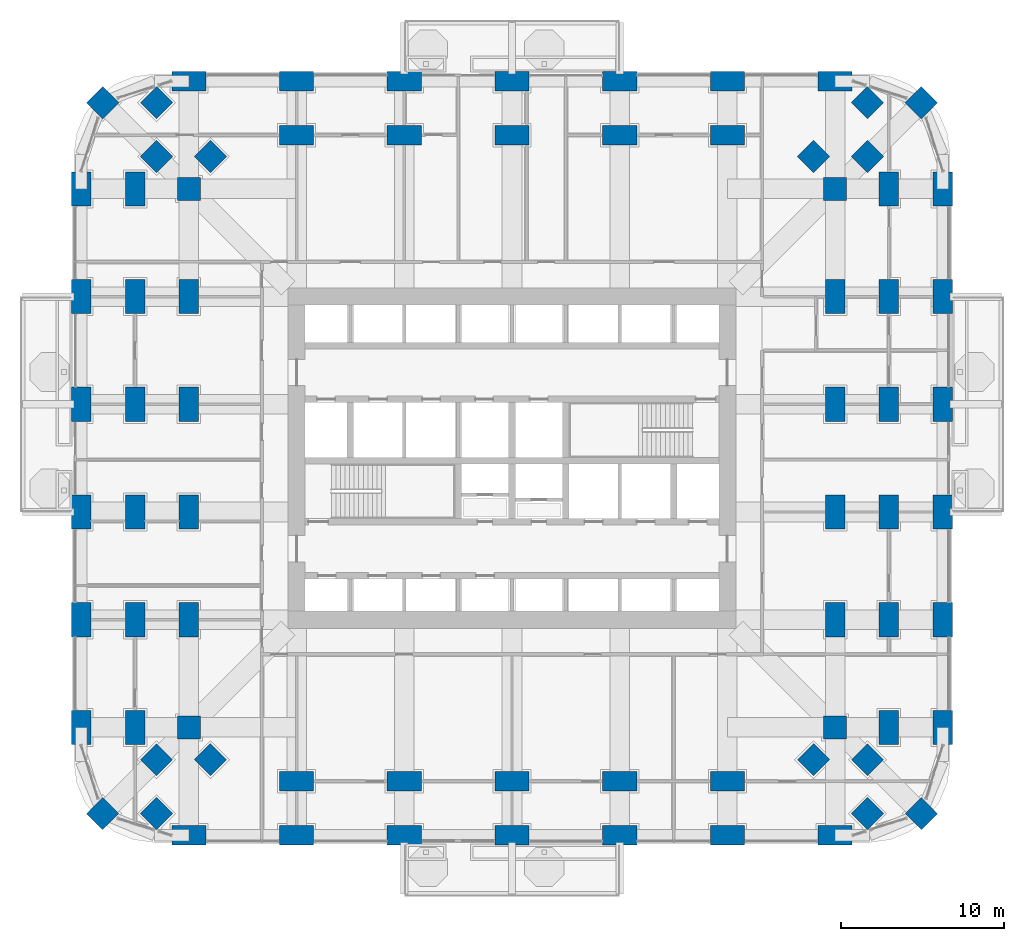
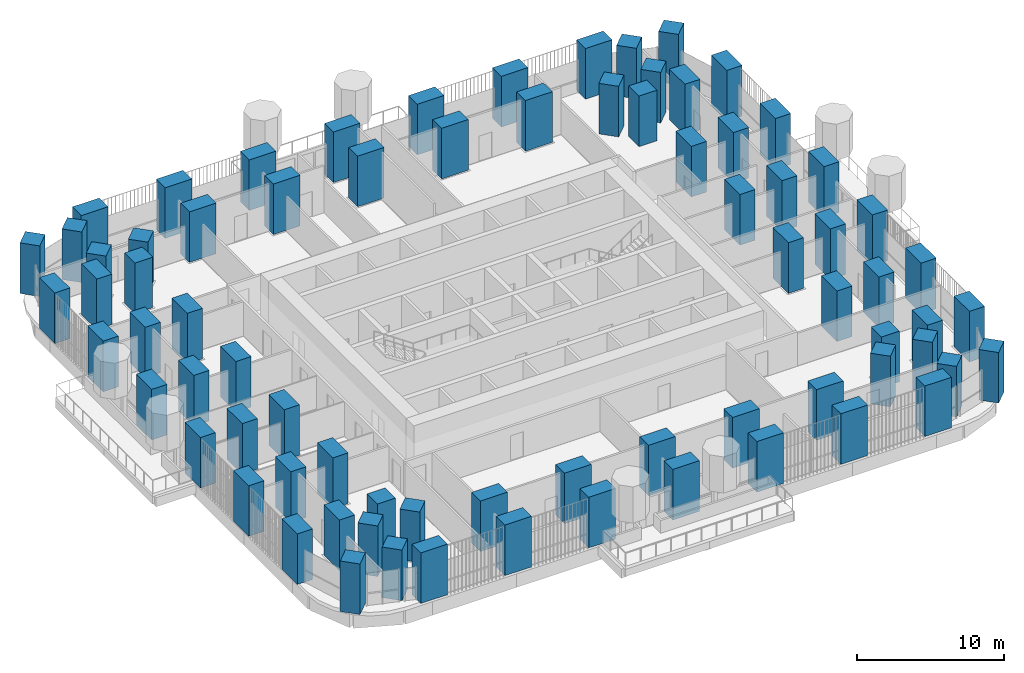
# One storey, part 1 of 26: 76 columns.
"""IFC4 building model written with IfcOpenShell, lengths in metres."""

from ifc_helpers import new_model, si_unit, direction, frame, origin, origin_2d, place, context, subcontext, project, spatial, rectangle, extrude, material, material_profile, profile_set, type_object, element, save


model = new_model("IFC4")

# Units and contexts
model_context = context("Model", 3, precision=1e-05, world=origin(), true_north=direction((0.0, 1.0)))
body_context = subcontext(model_context, "Body", "Model", "MODEL_VIEW")
ifc_project = project(units=[si_unit("LENGTHUNIT", "METRE"), si_unit("AREAUNIT", "SQUARE_METRE"), si_unit("VOLUMEUNIT", "CUBIC_METRE"), si_unit("PLANEANGLEUNIT", "RADIAN"), si_unit("MASSUNIT", "GRAM", prefix="KILO")], contexts=[model_context])

# Site, building, storey
site_placement = place(None, origin())
site = spatial("IfcSite", under=ifc_project, at=site_placement, CompositionType="ELEMENT")
building_placement = place(site_placement, origin())
building = spatial("IfcBuilding", under=site, at=building_placement, Name="Cobogo Forest Laboratory Tower", CompositionType="ELEMENT")
storey_placement = place(building_placement, frame((0.0, 0.0, 25.5)))
storey = spatial("IfcBuildingStorey", under=building, at=storey_placement, Name="L05", CompositionType="ELEMENT", Elevation=25.5)

# Columns
ifc_material = material(Name="Concrete HA-50 (C50/60)", Category="concrete")
ifc_material_profile_1 = material_profile(ifc_material, rectangle(XDim=2.10009765625, YDim=1.199951171875, at=origin_2d()), Name="RC 1200x2100")
ifc_profile_set_1 = profile_set([ifc_material_profile_1], Name="Concrete HA-50 (C50/60)")
column_type_1 = type_object("IfcColumnType", Name="Blade column 1200x2100", PredefinedType="COLUMN", material=ifc_profile_set_1)
for number, where, z_axis, x_axis, name in (
    (1, (6.60009765625, 0.0, 0.0), (0.0, 0.0, 1.0), (1.0, 0.0, 0.0), "Column 2-A L05"),
    (2, (13.199951171875, 0.0, 0.0), (0.0, 0.0, 1.0), (1.0, 0.0, 0.0), "Column 3-A L05"),
    (3, (19.800048828125, 0.0, 0.0), (0.0, 0.0, 1.0), (1.0, 0.0, 0.0), "Column 4-A L05"),
    (4, (26.39990234375, 0.0, 0.0), (0.0, 0.0, 1.0), (1.0, 0.0, 0.0), "Column 5-A L05"),
    (5, (33.0, 0.0, 0.0), (0.0, 0.0, 1.0), (1.0, 0.0, 0.0), "Column 6-A L05"),
    (6, (39.60009765625, 0.0, 0.0), (0.0, 0.0, 1.0), (1.0, 0.0, 0.0), "Column 7-A L05"),
    (7, (46.199951171875, 0.0, 0.0), (0.0, 0.0, 1.0), (1.0, 0.0, 0.0), "Column 8-A L05"),
    (8, (0.0, 6.60009765625, 0.0), (0.0, 0.0, 1.0), (0.0, 1.0, 0.0), "Column 1-B L05"),
    (9, (52.800048828125, 6.60009765625, 0.0), (0.0, 0.0, 1.0), (0.0, 1.0, 0.0), "Column 9-B L05"),
    (10, (0.0, 13.199951171875, 0.0), (0.0, 0.0, 1.0), (0.0, 1.0, 0.0), "Column 1-C L05"),
    (11, (52.800048828125, 13.199951171875, 0.0), (0.0, 0.0, 1.0), (0.0, 1.0, 0.0), "Column 9-C L05"),
    (12, (0.0, 19.800048828125, 0.0), (0.0, 0.0, 1.0), (0.0, 1.0, 0.0), "Column 1-D L05"),
    (13, (52.800048828125, 19.800048828125, 0.0), (0.0, 0.0, 1.0), (0.0, 1.0, 0.0), "Column 9-D L05"),
    (14, (0.0, 26.39990234375, 0.0), (0.0, 0.0, 1.0), (0.0, 1.0, 0.0), "Column 1-E L05"),
    (15, (52.800048828125, 26.39990234375, 0.0), (0.0, 0.0, 1.0), (0.0, 1.0, 0.0), "Column 9-E L05"),
    (16, (0.0, 33.0, 0.0), (0.0, 0.0, 1.0), (0.0, 1.0, 0.0), "Column 1-F L05"),
    (17, (52.800048828125, 33.0, 0.0), (0.0, 0.0, 1.0), (0.0, 1.0, 0.0), "Column 9-F L05"),
    (18, (0.0, 39.60009765625, 0.0), (0.0, 0.0, 1.0), (0.0, 1.0, 0.0), "Column 1-G L05"),
    (19, (52.800048828125, 39.60009765625, 0.0), (0.0, 0.0, 1.0), (0.0, 1.0, 0.0), "Column 9-G L05"),
    (20, (6.60009765625, 46.199951171875, 0.0), (0.0, 0.0, 1.0), (1.0, 0.0, 0.0), "Column 2-H L05"),
    (21, (13.199951171875, 46.199951171875, 0.0), (0.0, 0.0, 1.0), (1.0, 0.0, 0.0), "Column 3-H L05"),
    (22, (19.800048828125, 46.199951171875, 0.0), (0.0, 0.0, 1.0), (1.0, 0.0, 0.0), "Column 4-H L05"),
    (23, (26.39990234375, 46.199951171875, 0.0), (0.0, 0.0, 1.0), (1.0, 0.0, 0.0), "Column 5-H L05"),
    (24, (33.0, 46.199951171875, 0.0), (0.0, 0.0, 1.0), (1.0, 0.0, 0.0), "Column 6-H L05"),
    (25, (39.60009765625, 46.199951171875, 0.0), (0.0, 0.0, 1.0), (1.0, 0.0, 0.0), "Column 7-H L05"),
    (26, (46.199951171875, 46.199951171875, 0.0), (0.0, 0.0, 1.0), (1.0, 0.0, 0.0), "Column 8-H L05"),
    (27, (3.300048828125, 6.60009765625, 0.0), (0.0, 0.0, 1.0), (0.0, 1.0, 0.0), "Column 1.1-B-B L05"),
    (28, (49.5, 6.60009765625, 0.0), (0.0, 0.0, 1.0), (0.0, 1.0, 0.0), "Column 8.1-B-B L05"),
    (29, (3.300048828125, 13.199951171875, 0.0), (0.0, 0.0, 1.0), (0.0, 1.0, 0.0), "Column 1.1-C-B L05"),
    (30, (49.5, 13.199951171875, 0.0), (0.0, 0.0, 1.0), (0.0, 1.0, 0.0), "Column 8.1-C-B L05"),
    (31, (3.300048828125, 19.800048828125, 0.0), (0.0, 0.0, 1.0), (0.0, 1.0, 0.0), "Column 1.1-D-B L05"),
    (32, (49.5, 19.800048828125, 0.0), (0.0, 0.0, 1.0), (0.0, 1.0, 0.0), "Column 8.1-D-B L05"),
    (33, (3.300048828125, 26.39990234375, 0.0), (0.0, 0.0, 1.0), (0.0, 1.0, 0.0), "Column 1.1-E-B L05"),
    (34, (49.5, 26.39990234375, 0.0), (0.0, 0.0, 1.0), (0.0, 1.0, 0.0), "Column 8.1-E-B L05"),
    (35, (3.300048828125, 33.0, 0.0), (0.0, 0.0, 1.0), (0.0, 1.0, 0.0), "Column 1.1-F-B L05"),
    (36, (49.5, 33.0, 0.0), (0.0, 0.0, 1.0), (0.0, 1.0, 0.0), "Column 8.1-F-B L05"),
    (37, (3.300048828125, 39.60009765625, 0.0), (0.0, 0.0, 1.0), (0.0, 1.0, 0.0), "Column 1.1-G-B L05"),
    (38, (49.5, 39.60009765625, 0.0), (0.0, 0.0, 1.0), (0.0, 1.0, 0.0), "Column 8.1-G-B L05"),
    (39, (13.199951171875, 3.300048828125, 0.0), (0.0, 0.0, 1.0), (1.0, 0.0, 0.0), "Column 3-A.1-C L05"),
    (40, (19.800048828125, 3.300048828125, 0.0), (0.0, 0.0, 1.0), (1.0, 0.0, 0.0), "Column 4-A.1-C L05"),
    (41, (26.39990234375, 3.300048828125, 0.0), (0.0, 0.0, 1.0), (1.0, 0.0, 0.0), "Column 5-A.1-C L05"),
    (42, (33.0, 3.300048828125, 0.0), (0.0, 0.0, 1.0), (1.0, 0.0, 0.0), "Column 6-A.1-C L05"),
    (43, (39.60009765625, 3.300048828125, 0.0), (0.0, 0.0, 1.0), (1.0, 0.0, 0.0), "Column 7-A.1-C L05"),
    (44, (13.199951171875, 42.89990234375, 0.0), (0.0, 0.0, 1.0), (1.0, 0.0, 0.0), "Column 3-G.1-C L05"),
    (45, (19.800048828125, 42.89990234375, 0.0), (0.0, 0.0, 1.0), (1.0, 0.0, 0.0), "Column 4-G.1-C L05"),
    (46, (26.39990234375, 42.89990234375, 0.0), (0.0, 0.0, 1.0), (1.0, 0.0, 0.0), "Column 5-G.1-C L05"),
    (47, (33.0, 42.89990234375, 0.0), (0.0, 0.0, 1.0), (1.0, 0.0, 0.0), "Column 6-G.1-C L05"),
    (48, (39.60009765625, 42.89990234375, 0.0), (0.0, 0.0, 1.0), (1.0, 0.0, 0.0), "Column 7-G.1-C L05"),
    (49, (6.60009765625, 13.199951171875, 0.0), (0.0, 0.0, 1.0), (0.0, 1.0, 0.0), "Column 2-C-D L05"),
    (50, (46.199951171875, 13.199951171875, 0.0), (0.0, 0.0, 1.0), (0.0, 1.0, 0.0), "Column 8-C-D L05"),
    (51, (6.60009765625, 19.800048828125, 0.0), (0.0, 0.0, 1.0), (0.0, 1.0, 0.0), "Column 2-D-D L05"),
    (52, (46.199951171875, 19.800048828125, 0.0), (0.0, 0.0, 1.0), (0.0, 1.0, 0.0), "Column 8-D-D L05"),
    (53, (6.60009765625, 26.39990234375, 0.0), (0.0, 0.0, 1.0), (0.0, 1.0, 0.0), "Column 2-E-D L05"),
    (54, (46.199951171875, 26.39990234375, 0.0), (0.0, 0.0, 1.0), (0.0, 1.0, 0.0), "Column 8-E-D L05"),
    (55, (6.60009765625, 33.0, 0.0), (0.0, 0.0, 1.0), (0.0, 1.0, 0.0), "Column 2-F-D L05"),
    (56, (46.199951171875, 33.0, 0.0), (0.0, 0.0, 1.0), (0.0, 1.0, 0.0), "Column 8-F-D L05"),
):
    element("IfcColumn", number, at=place(storey_placement, frame(where, z_axis=z_axis, x_axis=x_axis)), inside=storey, type_object=column_type_1, Name=name, PredefinedType="COLUMN", context=body_context, shape_type="SweptSolid", body=[
        extrude(rectangle(XDim=2.10009765625, YDim=1.199951171875, at=origin_2d()), origin(), (0.0, 0.0, 1.0), 4.199951171875),
    ])
ifc_material_profile_2 = material_profile(ifc_material, rectangle(XDim=1.39990234375, YDim=1.39990234375, at=origin_2d()), Name="RC 1400x1400")
ifc_profile_set_2 = profile_set([ifc_material_profile_2], Name="Concrete HA-50 (C50/60)")
column_type_2 = type_object("IfcColumnType", Name="Column 1400x1400", PredefinedType="COLUMN", material=ifc_profile_set_2)
for number, where, z_axis, x_axis, name in (
    (57, (1.318115234375, 1.318115234375, 0.0), (0.0, 0.0, 1.0), (0.707106781187, 0.707106781187, 0.0), "Column CNR-SW L05"),
    (58, (51.48193359375, 1.318115234375, 0.0), (0.0, 0.0, 1.0), (0.707106781187, 0.707106781187, 0.0), "Column CNR-SE L05"),
    (59, (1.318115234375, 44.882080078125, 0.0), (0.0, 0.0, 1.0), (0.707106781187, 0.707106781187, 0.0), "Column CNR-NW L05"),
    (60, (51.48193359375, 44.882080078125, 0.0), (0.0, 0.0, 1.0), (0.707106781187, 0.707106781187, 0.0), "Column CNR-NE L05"),
    (61, (6.60009765625, 6.60009765625, 0.0), (0.0, 0.0, 1.0), (1.0, 0.0, 0.0), "Column 2-B L05"),
    (62, (46.199951171875, 6.60009765625, 0.0), (0.0, 0.0, 1.0), (1.0, 0.0, 0.0), "Column 8-B L05"),
    (63, (6.60009765625, 39.60009765625, 0.0), (0.0, 0.0, 1.0), (1.0, 0.0, 0.0), "Column 2-G L05"),
    (64, (46.199951171875, 39.60009765625, 0.0), (0.0, 0.0, 1.0), (1.0, 0.0, 0.0), "Column 8-G L05"),
    (65, (4.617919921875, 1.318115234375, 0.0), (0.0, 0.0, 1.0), (0.707106781187, 0.707106781187, 0.0), "Column CNR-SW-B L05"),
    (66, (48.181884765625, 1.318115234375, 0.0), (0.0, 0.0, 1.0), (0.707106781187, 0.707106781187, 0.0), "Column CNR-SE-B L05"),
    (67, (4.617919921875, 44.882080078125, 0.0), (0.0, 0.0, 1.0), (0.707106781187, 0.707106781187, 0.0), "Column CNR-NW-B L05"),
    (68, (48.181884765625, 44.882080078125, 0.0), (0.0, 0.0, 1.0), (0.707106781187, 0.707106781187, 0.0), "Column CNR-NE-B L05"),
    (69, (4.617919921875, 4.617919921875, 0.0), (0.0, 0.0, 1.0), (0.707106781187, 0.707106781187, 0.0), "Column CNR-SW-C L05"),
    (70, (48.181884765625, 4.617919921875, 0.0), (0.0, 0.0, 1.0), (0.707106781187, 0.707106781187, 0.0), "Column CNR-SE-C L05"),
    (71, (4.617919921875, 41.58203125, 0.0), (0.0, 0.0, 1.0), (0.707106781187, 0.707106781187, 0.0), "Column CNR-NW-C L05"),
    (72, (48.181884765625, 41.58203125, 0.0), (0.0, 0.0, 1.0), (0.707106781187, 0.707106781187, 0.0), "Column CNR-NE-C L05"),
    (73, (7.91796875, 4.617919921875, 0.0), (0.0, 0.0, 1.0), (0.707106781187, 0.707106781187, 0.0), "Column CNR-SW-D L05"),
    (74, (44.882080078125, 4.617919921875, 0.0), (0.0, 0.0, 1.0), (0.707106781187, 0.707106781187, 0.0), "Column CNR-SE-D L05"),
    (75, (7.91796875, 41.58203125, 0.0), (0.0, 0.0, 1.0), (0.707106781187, 0.707106781187, 0.0), "Column CNR-NW-D L05"),
    (76, (44.882080078125, 41.58203125, 0.0), (0.0, 0.0, 1.0), (0.707106781187, 0.707106781187, 0.0), "Column CNR-NE-D L05"),
):
    element("IfcColumn", number, at=place(storey_placement, frame(where, z_axis=z_axis, x_axis=x_axis)), inside=storey, type_object=column_type_2, Name=name, PredefinedType="COLUMN", context=body_context, shape_type="SweptSolid", body=[
        extrude(rectangle(XDim=1.39990234375, YDim=1.39990234375, at=origin_2d()), origin(), (0.0, 0.0, 1.0), 4.199951171875),
    ])

save(model, "model.ifc")
